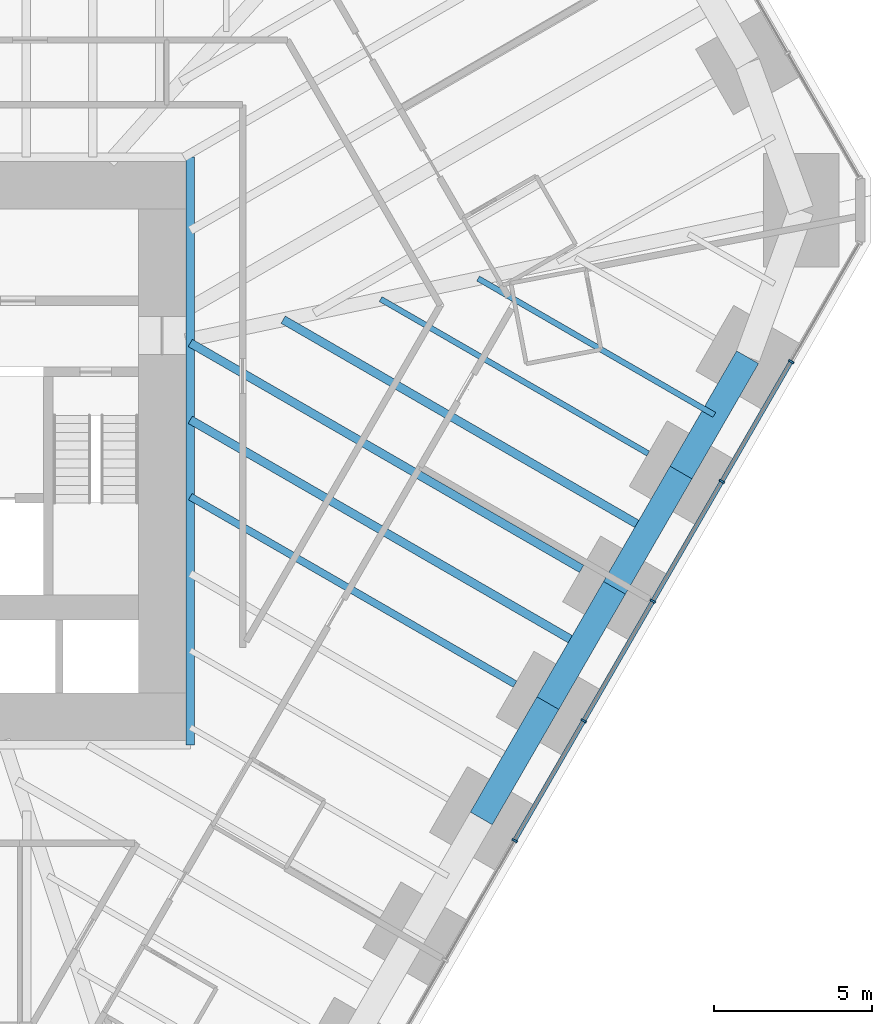
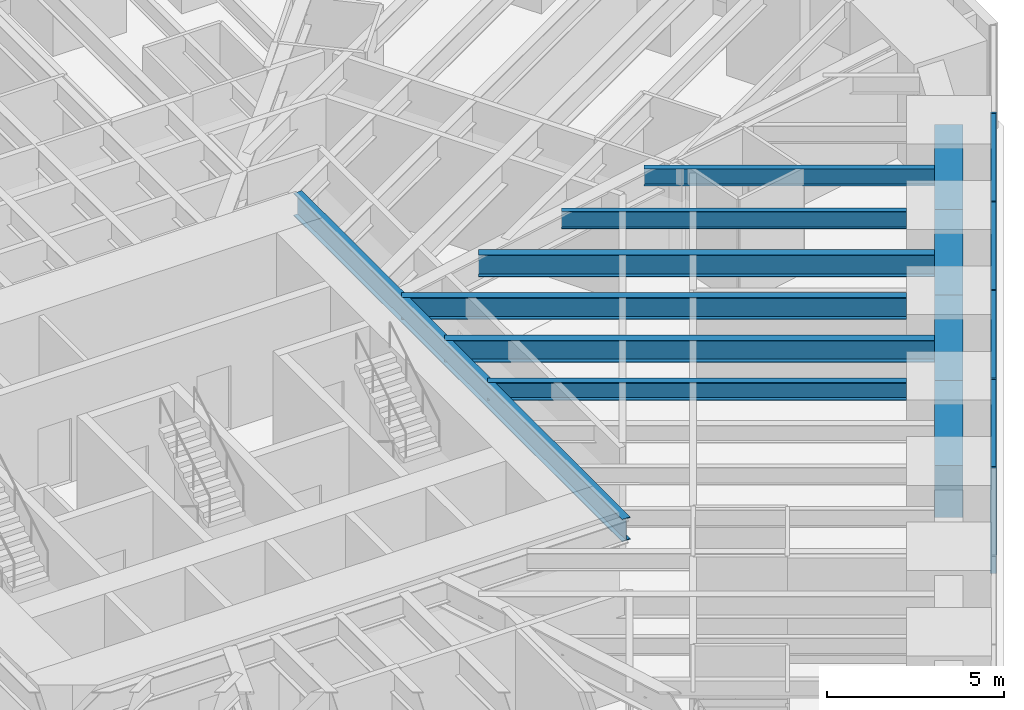
# One storey, part 6 of 17: 11 beams, 9 members, 1 element without a shape of its own.
"""IFC4 building model written with IfcOpenShell, lengths in metres."""

from ifc_helpers import new_model, si_unit, direction, frame, origin, origin_2d, place, context, subcontext, project, spatial, rectangle, i_section, extrude, material, material_profile, profile_set, type_object, element, aggregate, save


model = new_model("IFC4")

# Units and contexts
model_context = context("Model", 3, precision=1e-05, world=origin(), true_north=direction((0.0, 1.0)))
body_context = subcontext(model_context, "Body", "Model", "MODEL_VIEW")
ifc_project = project(units=[si_unit("LENGTHUNIT", "METRE"), si_unit("AREAUNIT", "SQUARE_METRE"), si_unit("VOLUMEUNIT", "CUBIC_METRE"), si_unit("PLANEANGLEUNIT", "RADIAN"), si_unit("MASSUNIT", "GRAM", prefix="KILO")], contexts=[model_context])

# Site, building, storey
site_placement = place(None, origin())
site = spatial("IfcSite", under=ifc_project, at=site_placement, CompositionType="ELEMENT")
building_placement = place(site_placement, origin())
building = spatial("IfcBuilding", under=site, at=building_placement, Name="Sandreach Pilgrim Tower", CompositionType="ELEMENT")
storey_placement = place(building_placement, frame((0.0, 0.0, 45.800048828125)))
storey = spatial("IfcBuildingStorey", under=building, at=storey_placement, Name="L10", CompositionType="ELEMENT", Elevation=45.800048828125)

# Curtain wall, members
ifc_material_1 = material(Name="Aluminium framed curtain wall", Category="aluminium")
curtain_wall_type = type_object("IfcCurtainWallType", Name="Hostel tower curtain wall", PredefinedType="NOTDEFINED", material=ifc_material_1)
curtain_wall_placement = place(storey_placement, origin())
curtain_wall = element("IfcCurtainWall", 1, at=curtain_wall_placement, inside=storey, type_object=curtain_wall_type, Name="CW-1 L10 SE", PredefinedType="NOTDEFINED")
ifc_material_2 = material(Name="Aluminium extrusion", Category="aluminium")
ifc_material_profile_1 = material_profile(ifc_material_2, rectangle(XDim=0.06494140625, YDim=0.179931640625, at=origin_2d()), Name="CW-1M 65X180")
ifc_profile_set_1 = profile_set([ifc_material_profile_1], Name="Aluminium extrusion")
member_type_1 = type_object("IfcMemberType", Name="CW-1 mullion", PredefinedType="MULLION", material=ifc_profile_set_1)
member_1_placement = place(storey_placement, frame((28.390380859375, 1.2763671875, 0.0), z_axis=(0.0, 0.0, 1.0), x_axis=(-0.5, -0.866025403784, 0.0)))
member_1 = element("IfcMember", 2, at=member_1_placement, type_object=member_type_1, Name="CW-1 mullion 2", PredefinedType="MULLION", context=body_context, shape_type="SweptSolid", body=[
    extrude(rectangle(XDim=0.06494140625, YDim=0.179931640625, at=origin_2d()), origin(), (0.0, 0.0, 1.0), 3.639892578125),
])
member_2_placement = place(storey_placement, frame((26.20458984375, -2.509521484375, 0.0), z_axis=(0.0, 0.0, 1.0), x_axis=(-0.5, -0.866025403784, 0.0)))
member_2 = element("IfcMember", 3, at=member_2_placement, type_object=member_type_1, Name="CW-1 mullion 3", PredefinedType="MULLION", context=body_context, shape_type="SweptSolid", body=[
    extrude(rectangle(XDim=0.06494140625, YDim=0.179931640625, at=origin_2d()), origin(), (0.0, 0.0, 1.0), 3.639892578125),
])
member_3_placement = place(storey_placement, frame((24.018798828125, -6.29541015625, 0.0), z_axis=(0.0, 0.0, 1.0), x_axis=(-0.5, -0.866025403784, 0.0)))
member_3 = element("IfcMember", 4, at=member_3_placement, type_object=member_type_1, Name="CW-1 mullion 4", PredefinedType="MULLION", context=body_context, shape_type="SweptSolid", body=[
    extrude(rectangle(XDim=0.06494140625, YDim=0.179931640625, at=origin_2d()), origin(), (0.0, 0.0, 1.0), 3.639892578125),
])
member_4_placement = place(storey_placement, frame((21.8330078125, -10.081298828125, 0.0), z_axis=(0.0, 0.0, 1.0), x_axis=(-0.5, -0.866025403784, 0.0)))
member_4 = element("IfcMember", 5, at=member_4_placement, type_object=member_type_1, Name="CW-1 mullion 5", PredefinedType="MULLION", context=body_context, shape_type="SweptSolid", body=[
    extrude(rectangle(XDim=0.06494140625, YDim=0.179931640625, at=origin_2d()), origin(), (0.0, 0.0, 1.0), 3.639892578125),
])
member_5_placement = place(storey_placement, frame((19.647216796875, -13.8671875, 0.0), z_axis=(0.0, 0.0, 1.0), x_axis=(-0.5, -0.866025403784, 0.0)))
member_5 = element("IfcMember", 6, at=member_5_placement, type_object=member_type_1, Name="CW-1 mullion 6", PredefinedType="MULLION", context=body_context, shape_type="SweptSolid", body=[
    extrude(rectangle(XDim=0.06494140625, YDim=0.179931640625, at=origin_2d()), origin(), (0.0, 0.0, 1.0), 3.639892578125),
])
ifc_material_3 = material(Name="Aluminium extrusion", Category="aluminium")
ifc_material_profile_2 = material_profile(ifc_material_3, rectangle(XDim=0.139892578125, YDim=0.070068359375, at=origin_2d()), Name="CW-1T 140X70")
ifc_profile_set_2 = profile_set([ifc_material_profile_2], Name="Aluminium extrusion")
member_type_2 = type_object("IfcMemberType", Name="CW-1 transom", PredefinedType="USERDEFINED", material=ifc_profile_set_2)
member_6_placement = place(storey_placement, frame((28.374267578125, 1.248046875, 3.60498046875), z_axis=(-0.500016891966, -0.866015650984, 0.0), x_axis=(0.866015650984, -0.500016891966, 0.0)))
member_6 = element("IfcMember", 7, at=member_6_placement, type_object=member_type_2, Name="CW-1 head transom 2", ObjectType="TRANSOM", PredefinedType="USERDEFINED", context=body_context, shape_type="SweptSolid", body=[
    extrude(rectangle(XDim=0.139892578125, YDim=0.070068359375, at=origin_2d()), origin(), (0.0, 0.0, 1.0), 4.306396484375),
])
member_7_placement = place(storey_placement, frame((26.1884765625, -2.537841796875, 3.60498046875), z_axis=(-0.500016891966, -0.866015650984, 0.0), x_axis=(0.866015650984, -0.500016891966, 0.0)))
member_7 = element("IfcMember", 8, at=member_7_placement, type_object=member_type_2, Name="CW-1 head transom 3", ObjectType="TRANSOM", PredefinedType="USERDEFINED", context=body_context, shape_type="SweptSolid", body=[
    extrude(rectangle(XDim=0.139892578125, YDim=0.070068359375, at=origin_2d()), origin(), (0.0, 0.0, 1.0), 4.306396484375),
])
member_8_placement = place(storey_placement, frame((24.002685546875, -6.32373046875, 3.60498046875), z_axis=(-0.500016891966, -0.866015650984, 0.0), x_axis=(0.866015650984, -0.500016891966, 0.0)))
member_8 = element("IfcMember", 9, at=member_8_placement, type_object=member_type_2, Name="CW-1 head transom 4", ObjectType="TRANSOM", PredefinedType="USERDEFINED", context=body_context, shape_type="SweptSolid", body=[
    extrude(rectangle(XDim=0.139892578125, YDim=0.070068359375, at=origin_2d()), origin(), (0.0, 0.0, 1.0), 4.306396484375),
])
member_9_placement = place(storey_placement, frame((21.81689453125, -10.109619140625, 3.60498046875), z_axis=(-0.500016891966, -0.866015650984, 0.0), x_axis=(0.866015650984, -0.500016891966, 0.0)))
member_9 = element("IfcMember", 10, at=member_9_placement, type_object=member_type_2, Name="CW-1 head transom 5", ObjectType="TRANSOM", PredefinedType="USERDEFINED", context=body_context, shape_type="SweptSolid", body=[
    extrude(rectangle(XDim=0.139892578125, YDim=0.070068359375, at=origin_2d()), origin(), (0.0, 0.0, 1.0), 4.306396484375),
])
aggregate(curtain_wall, [member_1, member_2, member_3, member_4, member_5, member_6, member_7, member_8, member_9])

# Beams
ifc_material_4 = material(Name="Steel ASTM A992 Grade 50", Category="steel")
ifc_material_profile_3 = material_profile(ifc_material_4, i_section(OverallWidth=0.2666015625, OverallDepth=0.77978515625, WebThickness=0.0166015625, FlangeThickness=0.030029296875, at=origin_2d()), Name="W30X148")
ifc_profile_set_3 = profile_set([ifc_material_profile_3], Name="Steel ASTM A992 Grade 50")
beam_type_1 = type_object("IfcBeamType", Name="Core edge beam W30X148", PredefinedType="BEAM", material=ifc_profile_set_3)
beam_1_placement = place(storey_placement, frame((9.393310546875, 7.743408203125, 3.25), z_axis=(0.0, -1.0, 0.0), x_axis=(1.0, 0.0, 0.0)))
element("IfcBeam", 11, at=beam_1_placement, inside=storey, type_object=beam_type_1, Name="BM L10 CEE", PredefinedType="BEAM", context=body_context, shape_type="SweptSolid", body=[
    extrude(i_section(OverallWidth=0.2666015625, OverallDepth=0.77978515625, WebThickness=0.0166015625, FlangeThickness=0.030029296875, at=origin_2d()), origin(), (0.0, 0.0, 1.0), 18.586669921875),
])
ifc_material_5 = material(Name="Steel ASTM A992 Grade 50", Category="steel")
ifc_material_profile_4 = material_profile(ifc_material_5, i_section(OverallWidth=0.1787109375, OverallDepth=0.60205078125, WebThickness=0.010986328125, FlangeThickness=0.014892578125, at=origin_2d()), Name="W24X62")
ifc_profile_set_4 = profile_set([ifc_material_profile_4], Name="Steel ASTM A992 Grade 50")
beam_type_2 = type_object("IfcBeamType", Name="Floor beam W24X62", PredefinedType="BEAM", material=ifc_profile_set_4)
beam_2_placement = place(storey_placement, frame((23.8720703125, -1.629638671875, 3.3388671875), z_axis=(-0.866025751498, 0.499999397742, 0.0), x_axis=(-0.499999397742, -0.866025751498, 0.0)))
element("IfcBeam", 12, at=beam_2_placement, inside=storey, type_object=beam_type_2, Name="BM L10 F15", PredefinedType="BEAM", context=body_context, shape_type="SweptSolid", body=[
    extrude(i_section(OverallWidth=0.1787109375, OverallDepth=0.60205078125, WebThickness=0.010986328125, FlangeThickness=0.014892578125, at=origin_2d()), origin(), (0.0, 0.0, 1.0), 9.767578125),
])
beam_3_placement = place(storey_placement, frame((25.9638671875, -0.40673828125, 3.3388671875), z_axis=(-0.866020100198, 0.500009185969, 0.0), x_axis=(-0.500009185969, -0.866020100198, 0.0)))
element("IfcBeam", 13, at=beam_3_placement, inside=storey, type_object=beam_type_2, Name="BM L10 FM14", PredefinedType="BEAM", context=body_context, shape_type="SweptSolid", body=[
    extrude(i_section(OverallWidth=0.1787109375, OverallDepth=0.60205078125, WebThickness=0.010986328125, FlangeThickness=0.014892578125, at=origin_2d()), origin(), (0.0, 0.0, 1.0), 8.623291015625),
])
ifc_material_6 = material(Name="Steel ASTM A992 Grade 50", Category="steel")
ifc_material_profile_5 = material_profile(ifc_material_6, i_section(OverallWidth=0.23046875, OverallDepth=0.6171875, WebThickness=0.01318359375, FlangeThickness=0.022216796875, at=origin_2d()), Name="W24X94")
ifc_profile_set_5 = profile_set([ifc_material_profile_5], Name="Steel ASTM A992 Grade 50")
beam_type_3 = type_object("IfcBeamType", Name="Floor beam W24X94", PredefinedType="BEAM", material=ifc_profile_set_5)
beam_4_placement = place(storey_placement, frame((19.662353515625, -8.92138671875, 3.331298828125), z_axis=(-0.866029924088, 0.499992170523, 0.0), x_axis=(-0.499992170523, -0.866029924088, 0.0)))
element("IfcBeam", 14, at=beam_4_placement, inside=storey, type_object=beam_type_3, Name="BM L10 F17", PredefinedType="BEAM", context=body_context, shape_type="SweptSolid", body=[
    extrude(i_section(OverallWidth=0.23046875, OverallDepth=0.6171875, WebThickness=0.01318359375, FlangeThickness=0.022216796875, at=origin_2d()), origin(), (0.0, 0.0, 1.0), 11.857666015625),
])
ifc_material_7 = material(Name="Steel ASTM A992 Grade 50", Category="steel")
ifc_material_profile_6 = material_profile(ifc_material_7, i_section(OverallWidth=0.2666015625, OverallDepth=0.761962890625, WebThickness=0.014404296875, FlangeThickness=0.021484375, at=origin_2d()), Name="W30X116")
ifc_profile_set_6 = profile_set([ifc_material_profile_6], Name="Steel ASTM A992 Grade 50")
beam_type_4 = type_object("IfcBeamType", Name="Floor beam W30X116", PredefinedType="BEAM", material=ifc_profile_set_6)
beam_5_placement = place(storey_placement, frame((21.76708984375, -5.275390625, 3.259033203125), z_axis=(-0.866024247282, 0.500002003116, 0.0), x_axis=(-0.500002003116, -0.866024247282, 0.0)))
element("IfcBeam", 15, at=beam_5_placement, inside=storey, type_object=beam_type_4, Name="BM L10 F16", PredefinedType="BEAM", context=body_context, shape_type="SweptSolid", body=[
    extrude(i_section(OverallWidth=0.2666015625, OverallDepth=0.761962890625, WebThickness=0.014404296875, FlangeThickness=0.021484375, at=origin_2d()), origin(), (0.0, 0.0, 1.0), 14.2880859375),
])
beam_6_placement = place(storey_placement, frame((23.85888671875, -4.052490234375, 3.259033203125), z_axis=(-0.866029213426, 0.499993401449, 0.0), x_axis=(-0.499993401449, -0.866029213426, 0.0)))
element("IfcBeam", 16, at=beam_6_placement, inside=storey, type_object=beam_type_4, Name="BM L10 FM15", PredefinedType="BEAM", context=body_context, shape_type="SweptSolid", body=[
    extrude(i_section(OverallWidth=0.2666015625, OverallDepth=0.761962890625, WebThickness=0.014404296875, FlangeThickness=0.021484375, at=origin_2d()), origin(), (0.0, 0.0, 1.0), 13.311767578125),
])
beam_7_placement = place(storey_placement, frame((21.75390625, -7.698486328125, 3.259033203125), z_axis=(-0.866022935671, 0.500004274874, 0.0), x_axis=(-0.500004274874, -0.866022935671, 0.0)))
element("IfcBeam", 17, at=beam_7_placement, inside=storey, type_object=beam_type_4, Name="BM L10 FM16", PredefinedType="BEAM", context=body_context, shape_type="SweptSolid", body=[
    extrude(i_section(OverallWidth=0.2666015625, OverallDepth=0.761962890625, WebThickness=0.014404296875, FlangeThickness=0.021484375, at=origin_2d()), origin(), (0.0, 0.0, 1.0), 14.27294921875),
])
ifc_material_8 = material(Name="Concrete 10000 psi", Category="concrete")
ifc_material_profile_7 = material_profile(ifc_material_8, rectangle(XDim=0.800048828125, YDim=1.800048828125, at=origin_2d()), Name="RC800X1800")
ifc_profile_set_7 = profile_set([ifc_material_profile_7], Name="Concrete 10000 psi")
beam_type_5 = type_object("IfcBeamType", Name="Spandrel beam RC800X1800", PredefinedType="SPANDREL", material=ifc_profile_set_7)
beam_8_placement = place(storey_placement, frame((27.016357421875, 1.416259765625, 2.739990234375), z_axis=(-0.499993523031, -0.866029143232, 0.0), x_axis=(0.866029143232, -0.499993523031, 0.0)))
element("IfcBeam", 18, at=beam_8_placement, inside=storey, type_object=beam_type_5, Name="BM L10 SP14", PredefinedType="SPANDREL", context=body_context, shape_type="SweptSolid", body=[
    extrude(rectangle(XDim=0.800048828125, YDim=1.800048828125, at=origin_2d()), origin(), (0.0, 0.0, 1.0), 4.2099609375),
])
beam_9_placement = place(storey_placement, frame((24.911376953125, -2.229736328125, 2.739990234375), z_axis=(-0.50001863446, -0.866014644907, 0.0), x_axis=(0.866014644907, -0.50001863446, 0.0)))
element("IfcBeam", 19, at=beam_9_placement, inside=storey, type_object=beam_type_5, Name="BM L10 SP15", PredefinedType="SPANDREL", context=body_context, shape_type="SweptSolid", body=[
    extrude(rectangle(XDim=0.800048828125, YDim=1.800048828125, at=origin_2d()), origin(), (0.0, 0.0, 1.0), 4.209716796875),
])
beam_10_placement = place(storey_placement, frame((22.806396484375, -5.87548828125, 2.739990234375), z_axis=(-0.499993523031, -0.866029143232, 0.0), x_axis=(0.866029143232, -0.499993523031, 0.0)))
element("IfcBeam", 20, at=beam_10_placement, inside=storey, type_object=beam_type_5, Name="BM L10 SP16", PredefinedType="SPANDREL", context=body_context, shape_type="SweptSolid", body=[
    extrude(rectangle(XDim=0.800048828125, YDim=1.800048828125, at=origin_2d()), origin(), (0.0, 0.0, 1.0), 4.2099609375),
])
beam_11_placement = place(storey_placement, frame((20.701416015625, -9.521484375, 2.739990234375), z_axis=(-0.50001863446, -0.866014644907, 0.0), x_axis=(0.866014644907, -0.50001863446, 0.0)))
element("IfcBeam", 21, at=beam_11_placement, inside=storey, type_object=beam_type_5, Name="BM L10 SP17", PredefinedType="SPANDREL", context=body_context, shape_type="SweptSolid", body=[
    extrude(rectangle(XDim=0.800048828125, YDim=1.800048828125, at=origin_2d()), origin(), (0.0, 0.0, 1.0), 4.209716796875),
])

save(model, "model.ifc")
